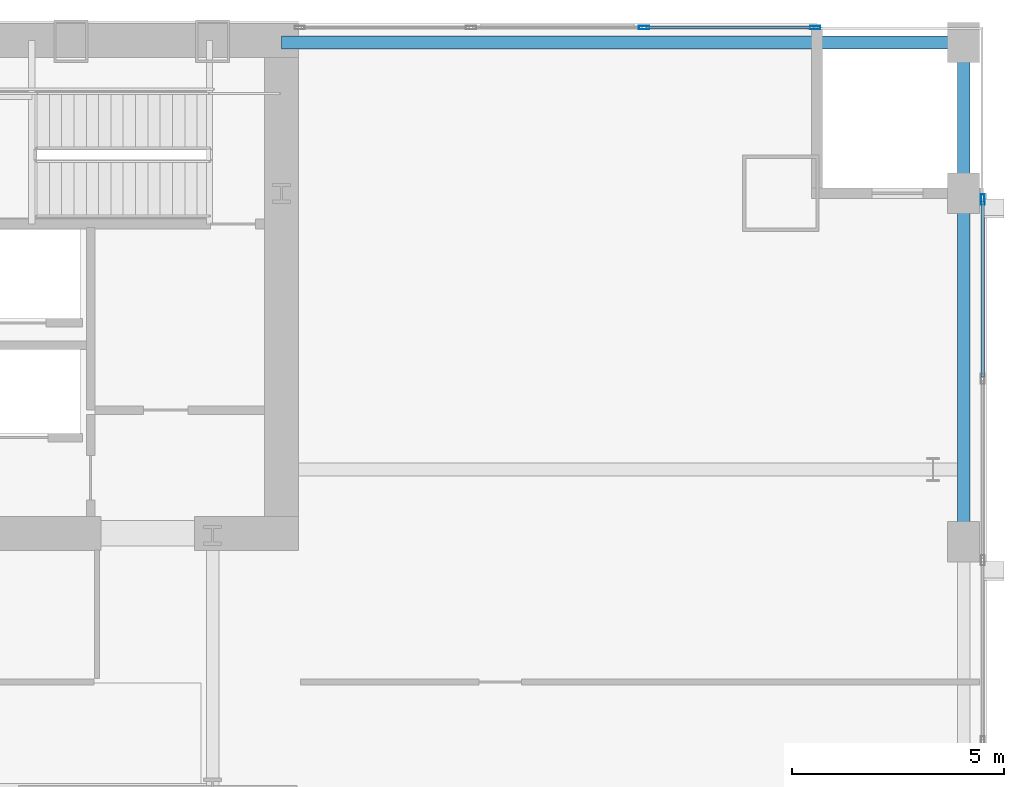
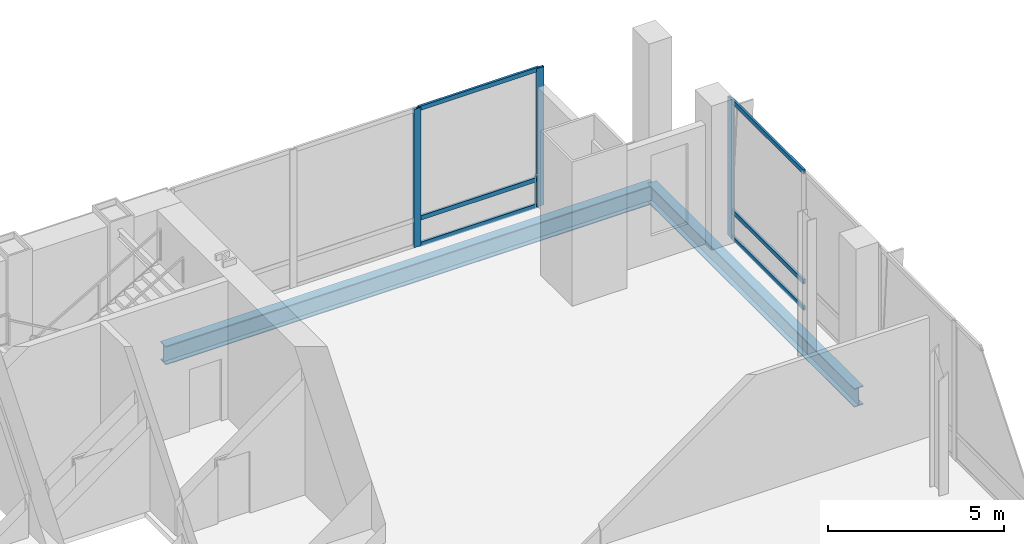
# One storey, part 17 of 25: 9 members, 2 beams, 2 elements without a shape of their own.
"""IFC4 building model written with IfcOpenShell, lengths in metres."""

from ifc_helpers import new_model, si_unit, direction, frame, origin, origin_2d, place, context, subcontext, project, spatial, hollow_rectangle, i_section, extrude, material, material_profile, profile_set, type_object, element, aggregate, save


model = new_model("IFC4")

# Units and contexts
model_context = context("Model", 3, precision=1e-05, world=origin(), true_north=direction((0.0, 1.0)))
body_context = subcontext(model_context, "Body", "Model", "MODEL_VIEW")
ifc_project = project(units=[si_unit("LENGTHUNIT", "METRE"), si_unit("AREAUNIT", "SQUARE_METRE"), si_unit("VOLUMEUNIT", "CUBIC_METRE"), si_unit("PLANEANGLEUNIT", "RADIAN"), si_unit("MASSUNIT", "GRAM", prefix="KILO")], contexts=[model_context])

# Site, building, storey
site_placement = place(None, origin())
site = spatial("IfcSite", under=ifc_project, at=site_placement, CompositionType="ELEMENT")
building_placement = place(site_placement, origin())
building = spatial("IfcBuilding", under=site, at=building_placement, Name="Khoronbel Lancet Exchange", CompositionType="ELEMENT")
storey_placement = place(building_placement, frame((0.0, 0.0, 10.39990234375)))
storey = spatial("IfcBuildingStorey", under=building, at=storey_placement, Name="L02", CompositionType="ELEMENT", Elevation=10.39990234375)

# Beams
ifc_material_1 = material(Name="Steel S355", Category="steel")
ifc_material_profile_1 = material_profile(ifc_material_1, i_section(OverallWidth=0.300048828125, OverallDepth=0.64990234375, WebThickness=0.01611328125, FlangeThickness=0.031005859375, at=origin_2d()), Name="HEB 650")
ifc_profile_set_1 = profile_set([ifc_material_profile_1], Name="Steel S355")
beam_type = type_object("IfcBeamType", Name="BM-BSP1", PredefinedType="SPANDREL", material=ifc_profile_set_1)
beam_1_placement = place(storey_placement, frame((72.35009765625, 41.5, -0.52490234375), z_axis=(0.0, 1.0, 0.0), x_axis=(-1.0, 0.0, 0.0)))
element("IfcBeam", 1, at=beam_1_placement, inside=storey, type_object=beam_type, Name="Level L02 perimeter spandrel beam SP12", PredefinedType="SPANDREL", context=body_context, shape_type="SweptSolid", body=[
    extrude(i_section(OverallWidth=0.300048828125, OverallDepth=0.64990234375, WebThickness=0.01611328125, FlangeThickness=0.031005859375, at=origin_2d()), origin(), (0.0, 0.0, 1.0), 11.75),
])
beam_2_placement = place(storey_placement, frame((72.35009765625, 53.25, -0.52490234375), z_axis=(-1.0, 0.0, 0.0), x_axis=(0.0, -1.0, 0.0)))
element("IfcBeam", 2, at=beam_2_placement, inside=storey, type_object=beam_type, Name="Level L02 perimeter spandrel beam SP13", PredefinedType="SPANDREL", context=body_context, shape_type="SweptSolid", body=[
    extrude(i_section(OverallWidth=0.300048828125, OverallDepth=0.64990234375, WebThickness=0.01611328125, FlangeThickness=0.031005859375, at=origin_2d()), origin(), (0.0, 0.0, 1.0), 16.050048828125),
])

# Curtain wall, member
ifc_material_2 = material(Name="Low-E Solar Control Insulating Glass", Category="glass")
curtain_wall_type = type_object("IfcCurtainWallType", Name="CW-5", PredefinedType="NOTDEFINED", material=ifc_material_2)
curtain_wall_1_placement = place(storey_placement, origin())
curtain_wall_1 = element("IfcCurtainWall", 3, at=curtain_wall_1_placement, inside=storey, type_object=curtain_wall_type, Name="Unitised curtain wall CW-L02-EAST", PredefinedType="NOTDEFINED")
ifc_material_3 = material(Name="Bronze-Anodised Aluminium 6063-T6", Category="aluminium")
ifc_material_profile_2 = material_profile(ifc_material_3, hollow_rectangle(XDim=0.0849609375, YDim=0.239990234375, WallThickness=0.006103515625, at=origin_2d()), Name="ALU MULLION 85x240")
ifc_profile_set_2 = profile_set([ifc_material_profile_2], Name="Bronze-Anodised Aluminium 6063-T6")
member_type_1 = type_object("IfcMemberType", Name="MEM-CWM1", PredefinedType="MULLION", material=ifc_profile_set_2)
member_1_placement = place(storey_placement, frame((72.800048828125, 49.5576171875, 0.0), z_axis=(0.0, 0.0, 1.0), x_axis=(-1.0, 0.0, 0.0)))
member_1 = element("IfcMember", 4, at=member_1_placement, type_object=member_type_1, Name="CW5 mullion 10", PredefinedType="MULLION", context=body_context, shape_type="SweptSolid", body=[
    extrude(hollow_rectangle(XDim=0.0849609375, YDim=0.239990234375, WallThickness=0.006103515625, at=origin_2d()), origin(), (0.0, 0.0, 1.0), 4.800048828125),
])

# Curtain wall, members
curtain_wall_2_placement = place(storey_placement, origin())
curtain_wall_2 = element("IfcCurtainWall", 5, at=curtain_wall_2_placement, inside=storey, type_object=curtain_wall_type, Name="Unitised curtain wall CW-L02-NE", PredefinedType="NOTDEFINED")
member_2_placement = place(storey_placement, frame((64.82666015625, 53.60009765625, 0.0), z_axis=(0.0, 0.0, 1.0), x_axis=(0.0, 1.0, 0.0)))
member_2 = element("IfcMember", 6, at=member_2_placement, type_object=member_type_1, Name="CW5 mullion 3", PredefinedType="MULLION", context=body_context, shape_type="SweptSolid", body=[
    extrude(hollow_rectangle(XDim=0.0849609375, YDim=0.239990234375, WallThickness=0.006103515625, at=origin_2d()), origin(), (0.0, 0.0, 1.0), 4.800048828125),
])
member_3_placement = place(storey_placement, frame((68.857421875, 53.60009765625, 0.0), z_axis=(0.0, 0.0, 1.0), x_axis=(0.0, 1.0, 0.0)))
member_3 = element("IfcMember", 7, at=member_3_placement, type_object=member_type_1, Name="CW5 mullion 4", PredefinedType="MULLION", context=body_context, shape_type="SweptSolid", body=[
    extrude(hollow_rectangle(XDim=0.0849609375, YDim=0.239990234375, WallThickness=0.006103515625, at=origin_2d()), origin(), (0.0, 0.0, 1.0), 4.800048828125),
])

# Member
ifc_material_profile_3 = material_profile(ifc_material_3, hollow_rectangle(XDim=0.074951171875, YDim=0.14990234375, WallThickness=0.00439453125, at=origin_2d()), Name="ALU TRANSOM 75x150")
ifc_profile_set_3 = profile_set([ifc_material_profile_3], Name="Bronze-Anodised Aluminium 6063-T6")
member_type_2 = type_object("IfcMemberType", Name="MEM-CWT2", PredefinedType="USERDEFINED", material=ifc_profile_set_3)
member_4_placement = place(storey_placement, frame((72.800048828125, 45.375732421875, 0.03759765625), z_axis=(0.0, 1.0, 0.0), x_axis=(-1.0, 0.0, 0.0)))
member_4 = element("IfcMember", 8, at=member_4_placement, type_object=member_type_2, Name="CW5 transom 9.1", ObjectType="TRANSOM", PredefinedType="USERDEFINED", context=body_context, shape_type="SweptSolid", body=[
    extrude(hollow_rectangle(XDim=0.074951171875, YDim=0.14990234375, WallThickness=0.00439453125, at=origin_2d()), origin(), (0.0, 0.0, 1.0), 4.13916015625),
])

member_5_placement = place(storey_placement, frame((72.800048828125, 45.375732421875, 0.9501953125), z_axis=(0.0, 1.0, 0.0), x_axis=(-1.0, 0.0, 0.0)))
member_5 = element("IfcMember", 9, at=member_5_placement, type_object=member_type_2, Name="CW5 transom 9.2", ObjectType="TRANSOM", PredefinedType="USERDEFINED", context=body_context, shape_type="SweptSolid", body=[
    extrude(hollow_rectangle(XDim=0.074951171875, YDim=0.14990234375, WallThickness=0.00439453125, at=origin_2d()), origin(), (0.0, 0.0, 1.0), 4.13916015625),
])

member_6_placement = place(storey_placement, frame((72.800048828125, 45.375732421875, 4.7626953125), z_axis=(0.0, 1.0, 0.0), x_axis=(-1.0, 0.0, 0.0)))
member_6 = element("IfcMember", 10, at=member_6_placement, type_object=member_type_2, Name="CW5 transom 9.3", ObjectType="TRANSOM", PredefinedType="USERDEFINED", context=body_context, shape_type="SweptSolid", body=[
    extrude(hollow_rectangle(XDim=0.074951171875, YDim=0.14990234375, WallThickness=0.00439453125, at=origin_2d()), origin(), (0.0, 0.0, 1.0), 4.13916015625),
])

aggregate(curtain_wall_1, [member_1, member_4, member_5, member_6])

member_7_placement = place(storey_placement, frame((64.869140625, 53.60009765625, 0.03759765625), z_axis=(1.0, 0.0, 0.0), x_axis=(0.0, 1.0, 0.0)))
member_7 = element("IfcMember", 11, at=member_7_placement, type_object=member_type_2, Name="CW5 transom 3.1", ObjectType="TRANSOM", PredefinedType="USERDEFINED", context=body_context, shape_type="SweptSolid", body=[
    extrude(hollow_rectangle(XDim=0.074951171875, YDim=0.14990234375, WallThickness=0.00439453125, at=origin_2d()), origin(), (0.0, 0.0, 1.0), 3.94580078125),
])

member_8_placement = place(storey_placement, frame((64.869140625, 53.60009765625, 0.9501953125), z_axis=(1.0, 0.0, 0.0), x_axis=(0.0, 1.0, 0.0)))
member_8 = element("IfcMember", 12, at=member_8_placement, type_object=member_type_2, Name="CW5 transom 3.2", ObjectType="TRANSOM", PredefinedType="USERDEFINED", context=body_context, shape_type="SweptSolid", body=[
    extrude(hollow_rectangle(XDim=0.074951171875, YDim=0.14990234375, WallThickness=0.00439453125, at=origin_2d()), origin(), (0.0, 0.0, 1.0), 3.94580078125),
])

member_9_placement = place(storey_placement, frame((64.869140625, 53.60009765625, 4.7626953125), z_axis=(1.0, 0.0, 0.0), x_axis=(0.0, 1.0, 0.0)))
member_9 = element("IfcMember", 13, at=member_9_placement, type_object=member_type_2, Name="CW5 transom 3.3", ObjectType="TRANSOM", PredefinedType="USERDEFINED", context=body_context, shape_type="SweptSolid", body=[
    extrude(hollow_rectangle(XDim=0.074951171875, YDim=0.14990234375, WallThickness=0.00439453125, at=origin_2d()), origin(), (0.0, 0.0, 1.0), 3.94580078125),
])

aggregate(curtain_wall_2, [member_2, member_3, member_7, member_8, member_9])

save(model, "model.ifc")
